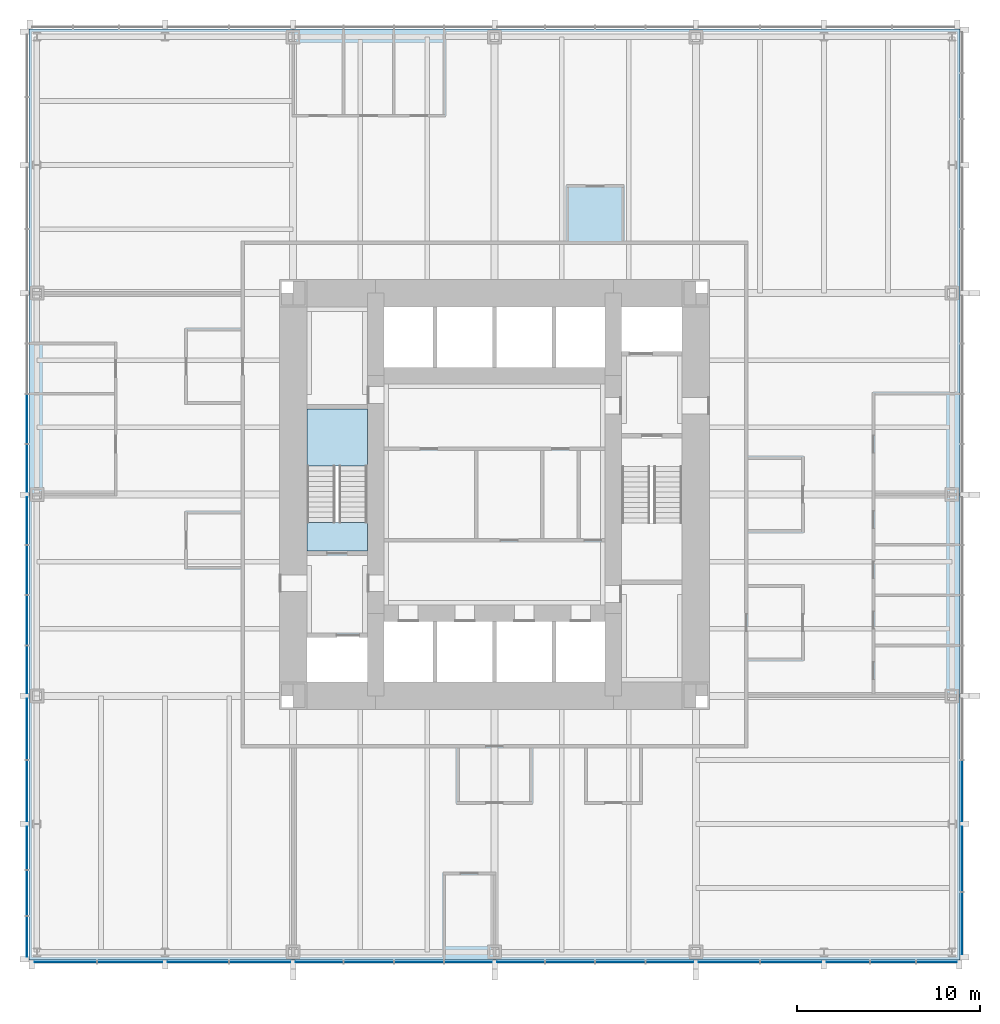
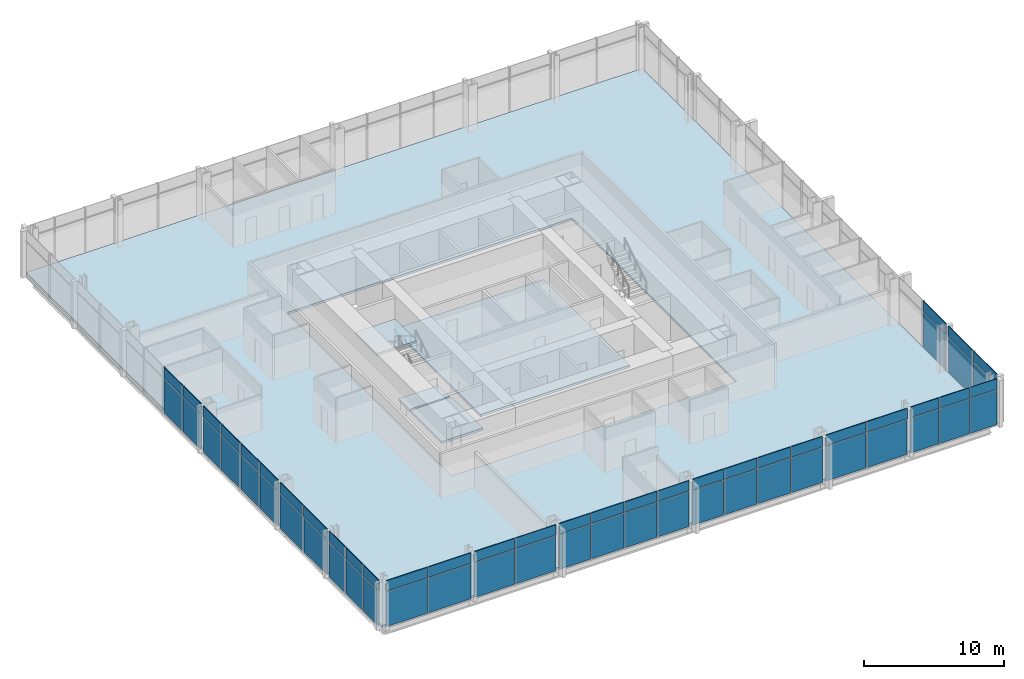
# One storey, part 7 of 12: 62 plates, 5 slabs, 4 elements without a shape of their own.
"""IFC4 building model written with IfcOpenShell, lengths in metres."""

from ifc_helpers import new_model, si_unit, direction, frame, origin, origin_2d, place, context, subcontext, project, spatial, polyline, rectangle, outline, extrude, material, layer, layer_set, type_object, element, aggregate, save


model = new_model("IFC4")

# Units and contexts
model_context = context("Model", 3, precision=1e-05, world=origin(), true_north=direction((0.0, 1.0)))
body_context = subcontext(model_context, "Body", "Model", "MODEL_VIEW")
ifc_project = project(units=[si_unit("LENGTHUNIT", "METRE"), si_unit("AREAUNIT", "SQUARE_METRE"), si_unit("VOLUMEUNIT", "CUBIC_METRE"), si_unit("PLANEANGLEUNIT", "RADIAN"), si_unit("MASSUNIT", "GRAM", prefix="KILO")], contexts=[model_context])

# Site, building, storey
site_placement = place(None, origin())
site = spatial("IfcSite", under=ifc_project, at=site_placement, CompositionType="ELEMENT")
building_placement = place(site_placement, origin())
building = spatial("IfcBuilding", under=site, at=building_placement, Name="Trevanion Tower", CompositionType="ELEMENT")
storey_placement = place(building_placement, frame((0.0, 0.0, 40.60009765625)))
storey = spatial("IfcBuildingStorey", under=building, at=storey_placement, Name="L09", CompositionType="ELEMENT", Elevation=40.60009765625)

# Curtain wall, plates
ifc_material_1 = material(Name="Aluminium and glass", Category="aluminium")
curtain_wall_type = type_object("IfcCurtainWallType", Name="CW1 curtain wall", PredefinedType="USERDEFINED", material=ifc_material_1)
curtain_wall_1_placement = place(storey_placement, origin())
curtain_wall_1 = element("IfcCurtainWall", 1, at=curtain_wall_1_placement, inside=storey, type_object=curtain_wall_type, Name="CW1 L09 0", ObjectType="UNITISED CURTAIN WALL", PredefinedType="USERDEFINED")
ifc_material_2 = material(Name="Aluminium spandrel panel", Category="aluminium")
ifc_layer_1 = layer(ifc_material_2, 0.06005859375)
ifc_layer_set_1 = layer_set([ifc_layer_1], Name="CW1 spandrel panel")
plate_type_1 = type_object("IfcPlateType", Name="CW1 spandrel panel", PredefinedType="CURTAIN_PANEL", material=ifc_layer_set_1)
plate_1_placement = place(storey_placement, frame((25.550048828125, -23.433837890625, 2.997314453125), z_axis=(0.0, 0.0, 1.0), x_axis=(0.0, 1.0, 0.0)))
plate_1 = element("IfcPlate", 2, at=plate_1_placement, type_object=plate_type_1, Name="CW1 panel 1.2", PredefinedType="CURTAIN_PANEL", context=body_context, shape_type="SweptSolid", body=[
    extrude(rectangle(XDim=3.37255859375, YDim=0.06005859375, at=origin_2d()), origin(), (0.0, 0.0, 1.0), 0.91259765625),
])
plate_2_placement = place(storey_placement, frame((25.550048828125, -19.911376953125, 2.997314453125), z_axis=(0.0, 0.0, 1.0), x_axis=(0.0, 1.0, 0.0)))
plate_2 = element("IfcPlate", 3, at=plate_2_placement, type_object=plate_type_1, Name="CW1 panel 2.2", PredefinedType="CURTAIN_PANEL", context=body_context, shape_type="SweptSolid", body=[
    extrude(rectangle(XDim=3.5224609375, YDim=0.06005859375, at=origin_2d()), origin(), (0.0, 0.0, 1.0), 0.91259765625),
])
plate_3_placement = place(storey_placement, frame((25.550048828125, -16.19384765625, 2.997314453125), z_axis=(0.0, 0.0, 1.0), x_axis=(0.0, 1.0, 0.0)))
plate_3 = element("IfcPlate", 4, at=plate_3_placement, type_object=plate_type_1, Name="CW1 panel 3.2", PredefinedType="CURTAIN_PANEL", context=body_context, shape_type="SweptSolid", body=[
    extrude(rectangle(XDim=3.3125, YDim=0.06005859375, at=origin_2d()), origin(), (0.0, 0.0, 1.0), 0.91259765625),
])

curtain_wall_2_placement = place(storey_placement, origin())
curtain_wall_2 = element("IfcCurtainWall", 5, at=curtain_wall_2_placement, inside=storey, type_object=curtain_wall_type, Name="CW1 L09 2", ObjectType="UNITISED CURTAIN WALL", PredefinedType="USERDEFINED")
plate_4_placement = place(storey_placement, frame((-25.550048828125, 4.125, 2.997314453125), z_axis=(0.0, 0.0, 1.0), x_axis=(0.0, -1.0, 0.0)))
plate_4 = element("IfcPlate", 6, at=plate_4_placement, type_object=plate_type_1, Name="CW1 panel 7.2", PredefinedType="CURTAIN_PANEL", context=body_context, shape_type="SweptSolid", body=[
    extrude(rectangle(XDim=2.675048828125, YDim=0.06005859375, at=origin_2d()), origin(), (0.0, 0.0, 1.0), 0.91259765625),
])
plate_5_placement = place(storey_placement, frame((-25.550048828125, 1.43115234375, 2.997314453125), z_axis=(0.0, 0.0, 1.0), x_axis=(0.0, -1.0, 0.0)))
plate_5 = element("IfcPlate", 7, at=plate_5_placement, type_object=plate_type_1, Name="CW1 panel 8.2", PredefinedType="CURTAIN_PANEL", context=body_context, shape_type="SweptSolid", body=[
    extrude(rectangle(XDim=2.5625, YDim=0.06005859375, at=origin_2d()), origin(), (0.0, 0.0, 1.0), 0.91259765625),
])
plate_6_placement = place(storey_placement, frame((-25.550048828125, -1.43115234375, 2.997314453125), z_axis=(0.0, 0.0, 1.0), x_axis=(0.0, -1.0, 0.0)))
plate_6 = element("IfcPlate", 8, at=plate_6_placement, type_object=plate_type_1, Name="CW1 panel 9.2", PredefinedType="CURTAIN_PANEL", context=body_context, shape_type="SweptSolid", body=[
    extrude(rectangle(XDim=2.5625, YDim=0.06005859375, at=origin_2d()), origin(), (0.0, 0.0, 1.0), 0.91259765625),
])
plate_7_placement = place(storey_placement, frame((-25.550048828125, -4.125, 2.997314453125), z_axis=(0.0, 0.0, 1.0), x_axis=(0.0, -1.0, 0.0)))
plate_7 = element("IfcPlate", 9, at=plate_7_placement, type_object=plate_type_1, Name="CW1 panel 10.2", PredefinedType="CURTAIN_PANEL", context=body_context, shape_type="SweptSolid", body=[
    extrude(rectangle(XDim=2.675048828125, YDim=0.06005859375, at=origin_2d()), origin(), (0.0, 0.0, 1.0), 0.91259765625),
])
plate_8_placement = place(storey_placement, frame((-25.550048828125, -6.875, 2.997314453125), z_axis=(0.0, 0.0, 1.0), x_axis=(0.0, -1.0, 0.0)))
plate_8 = element("IfcPlate", 10, at=plate_8_placement, type_object=plate_type_1, Name="CW1 panel 11.2", PredefinedType="CURTAIN_PANEL", context=body_context, shape_type="SweptSolid", body=[
    extrude(rectangle(XDim=2.675048828125, YDim=0.06005859375, at=origin_2d()), origin(), (0.0, 0.0, 1.0), 0.91259765625),
])
plate_9_placement = place(storey_placement, frame((-25.550048828125, -9.56884765625, 2.997314453125), z_axis=(0.0, 0.0, 1.0), x_axis=(0.0, -1.0, 0.0)))
plate_9 = element("IfcPlate", 11, at=plate_9_placement, type_object=plate_type_1, Name="CW1 panel 12.2", PredefinedType="CURTAIN_PANEL", context=body_context, shape_type="SweptSolid", body=[
    extrude(rectangle(XDim=2.5625, YDim=0.06005859375, at=origin_2d()), origin(), (0.0, 0.0, 1.0), 0.91259765625),
])
plate_10_placement = place(storey_placement, frame((-25.550048828125, -12.80615234375, 2.997314453125), z_axis=(0.0, 0.0, 1.0), x_axis=(0.0, -1.0, 0.0)))
plate_10 = element("IfcPlate", 12, at=plate_10_placement, type_object=plate_type_1, Name="CW1 panel 13.2", PredefinedType="CURTAIN_PANEL", context=body_context, shape_type="SweptSolid", body=[
    extrude(rectangle(XDim=3.3125, YDim=0.06005859375, at=origin_2d()), origin(), (0.0, 0.0, 1.0), 0.91259765625),
])
plate_11_placement = place(storey_placement, frame((-25.550048828125, -16.19384765625, 2.997314453125), z_axis=(0.0, 0.0, 1.0), x_axis=(0.0, -1.0, 0.0)))
plate_11 = element("IfcPlate", 13, at=plate_11_placement, type_object=plate_type_1, Name="CW1 panel 14.2", PredefinedType="CURTAIN_PANEL", context=body_context, shape_type="SweptSolid", body=[
    extrude(rectangle(XDim=3.3125, YDim=0.06005859375, at=origin_2d()), origin(), (0.0, 0.0, 1.0), 0.91259765625),
])
plate_12_placement = place(storey_placement, frame((-25.550048828125, -19.314697265625, 2.997314453125), z_axis=(0.0, 0.0, 1.0), x_axis=(0.0, -1.0, 0.0)))
plate_12 = element("IfcPlate", 14, at=plate_12_placement, type_object=plate_type_1, Name="CW1 panel 15.2", PredefinedType="CURTAIN_PANEL", context=body_context, shape_type="SweptSolid", body=[
    extrude(rectangle(XDim=2.3291015625, YDim=0.06005859375, at=origin_2d()), origin(), (0.0, 0.0, 1.0), 0.91259765625),
])
plate_13_placement = place(storey_placement, frame((-25.550048828125, -21.77490234375, 2.997314453125), z_axis=(0.0, 0.0, 1.0), x_axis=(0.0, -1.0, 0.0)))
plate_13 = element("IfcPlate", 15, at=plate_13_placement, type_object=plate_type_1, Name="CW1 panel 16.2", PredefinedType="CURTAIN_PANEL", context=body_context, shape_type="SweptSolid", body=[
    extrude(rectangle(XDim=2.441650390625, YDim=0.06005859375, at=origin_2d()), origin(), (0.0, 0.0, 1.0), 0.91259765625),
])
plate_14_placement = place(storey_placement, frame((-25.550048828125, -24.160400390625, 2.997314453125), z_axis=(0.0, 0.0, 1.0), x_axis=(0.0, -1.0, 0.0)))
plate_14 = element("IfcPlate", 16, at=plate_14_placement, type_object=plate_type_1, Name="CW1 panel 17.2", PredefinedType="CURTAIN_PANEL", context=body_context, shape_type="SweptSolid", body=[
    extrude(rectangle(XDim=2.17919921875, YDim=0.06005859375, at=origin_2d()), origin(), (0.0, 0.0, 1.0), 0.91259765625),
])

curtain_wall_3_placement = place(storey_placement, origin())
curtain_wall_3 = element("IfcCurtainWall", 17, at=curtain_wall_3_placement, inside=storey, type_object=curtain_wall_type, Name="CW1 L09 3", ObjectType="UNITISED CURTAIN WALL", PredefinedType="USERDEFINED")
plate_15_placement = place(storey_placement, frame((-23.433837890625, -25.550048828125, 2.997314453125), z_axis=(0.0, 0.0, 1.0), x_axis=(1.0, 0.0, 0.0)))
plate_15 = element("IfcPlate", 18, at=plate_15_placement, type_object=plate_type_1, Name="CW1 panel 1.2", PredefinedType="CURTAIN_PANEL", context=body_context, shape_type="SweptSolid", body=[
    extrude(rectangle(XDim=3.37255859375, YDim=0.06005859375, at=origin_2d()), origin(), (0.0, 0.0, 1.0), 0.91259765625),
])
plate_16_placement = place(storey_placement, frame((-19.911376953125, -25.550048828125, 2.997314453125), z_axis=(0.0, 0.0, 1.0), x_axis=(1.0, 0.0, 0.0)))
plate_16 = element("IfcPlate", 19, at=plate_16_placement, type_object=plate_type_1, Name="CW1 panel 2.2", PredefinedType="CURTAIN_PANEL", context=body_context, shape_type="SweptSolid", body=[
    extrude(rectangle(XDim=3.5224609375, YDim=0.06005859375, at=origin_2d()), origin(), (0.0, 0.0, 1.0), 0.91259765625),
])
plate_17_placement = place(storey_placement, frame((-16.19384765625, -25.550048828125, 2.997314453125), z_axis=(0.0, 0.0, 1.0), x_axis=(1.0, 0.0, 0.0)))
plate_17 = element("IfcPlate", 20, at=plate_17_placement, type_object=plate_type_1, Name="CW1 panel 3.2", PredefinedType="CURTAIN_PANEL", context=body_context, shape_type="SweptSolid", body=[
    extrude(rectangle(XDim=3.3125, YDim=0.06005859375, at=origin_2d()), origin(), (0.0, 0.0, 1.0), 0.91259765625),
])
plate_18_placement = place(storey_placement, frame((-12.806396484375, -25.550048828125, 2.997314453125), z_axis=(0.0, 0.0, 1.0), x_axis=(1.0, 0.0, 0.0)))
plate_18 = element("IfcPlate", 21, at=plate_18_placement, type_object=plate_type_1, Name="CW1 panel 4.2", PredefinedType="CURTAIN_PANEL", context=body_context, shape_type="SweptSolid", body=[
    extrude(rectangle(XDim=3.3125, YDim=0.06005859375, at=origin_2d()), origin(), (0.0, 0.0, 1.0), 0.91259765625),
])
plate_19_placement = place(storey_placement, frame((-9.56884765625, -25.550048828125, 2.997314453125), z_axis=(0.0, 0.0, 1.0), x_axis=(1.0, 0.0, 0.0)))
plate_19 = element("IfcPlate", 22, at=plate_19_placement, type_object=plate_type_1, Name="CW1 panel 5.2", PredefinedType="CURTAIN_PANEL", context=body_context, shape_type="SweptSolid", body=[
    extrude(rectangle(XDim=2.5625, YDim=0.06005859375, at=origin_2d()), origin(), (0.0, 0.0, 1.0), 0.91259765625),
])
plate_20_placement = place(storey_placement, frame((-6.875, -25.550048828125, 2.997314453125), z_axis=(0.0, 0.0, 1.0), x_axis=(1.0, 0.0, 0.0)))
plate_20 = element("IfcPlate", 23, at=plate_20_placement, type_object=plate_type_1, Name="CW1 panel 6.2", PredefinedType="CURTAIN_PANEL", context=body_context, shape_type="SweptSolid", body=[
    extrude(rectangle(XDim=2.675048828125, YDim=0.06005859375, at=origin_2d()), origin(), (0.0, 0.0, 1.0), 0.91259765625),
])
plate_21_placement = place(storey_placement, frame((-4.125, -25.550048828125, 2.997314453125), z_axis=(0.0, 0.0, 1.0), x_axis=(1.0, 0.0, 0.0)))
plate_21 = element("IfcPlate", 24, at=plate_21_placement, type_object=plate_type_1, Name="CW1 panel 7.2", PredefinedType="CURTAIN_PANEL", context=body_context, shape_type="SweptSolid", body=[
    extrude(rectangle(XDim=2.675048828125, YDim=0.06005859375, at=origin_2d()), origin(), (0.0, 0.0, 1.0), 0.91259765625),
])
plate_22_placement = place(storey_placement, frame((-1.43115234375, -25.550048828125, 2.997314453125), z_axis=(0.0, 0.0, 1.0), x_axis=(1.0, 0.0, 0.0)))
plate_22 = element("IfcPlate", 25, at=plate_22_placement, type_object=plate_type_1, Name="CW1 panel 8.2", PredefinedType="CURTAIN_PANEL", context=body_context, shape_type="SweptSolid", body=[
    extrude(rectangle(XDim=2.5625, YDim=0.06005859375, at=origin_2d()), origin(), (0.0, 0.0, 1.0), 0.91259765625),
])
plate_23_placement = place(storey_placement, frame((1.43115234375, -25.550048828125, 2.997314453125), z_axis=(0.0, 0.0, 1.0), x_axis=(1.0, 0.0, 0.0)))
plate_23 = element("IfcPlate", 26, at=plate_23_placement, type_object=plate_type_1, Name="CW1 panel 9.2", PredefinedType="CURTAIN_PANEL", context=body_context, shape_type="SweptSolid", body=[
    extrude(rectangle(XDim=2.5625, YDim=0.06005859375, at=origin_2d()), origin(), (0.0, 0.0, 1.0), 0.91259765625),
])
plate_24_placement = place(storey_placement, frame((4.125, -25.550048828125, 2.997314453125), z_axis=(0.0, 0.0, 1.0), x_axis=(1.0, 0.0, 0.0)))
plate_24 = element("IfcPlate", 27, at=plate_24_placement, type_object=plate_type_1, Name="CW1 panel 10.2", PredefinedType="CURTAIN_PANEL", context=body_context, shape_type="SweptSolid", body=[
    extrude(rectangle(XDim=2.675048828125, YDim=0.06005859375, at=origin_2d()), origin(), (0.0, 0.0, 1.0), 0.91259765625),
])
plate_25_placement = place(storey_placement, frame((6.875, -25.550048828125, 2.997314453125), z_axis=(0.0, 0.0, 1.0), x_axis=(1.0, 0.0, 0.0)))
plate_25 = element("IfcPlate", 28, at=plate_25_placement, type_object=plate_type_1, Name="CW1 panel 11.2", PredefinedType="CURTAIN_PANEL", context=body_context, shape_type="SweptSolid", body=[
    extrude(rectangle(XDim=2.675048828125, YDim=0.06005859375, at=origin_2d()), origin(), (0.0, 0.0, 1.0), 0.91259765625),
])
plate_26_placement = place(storey_placement, frame((9.56884765625, -25.550048828125, 2.997314453125), z_axis=(0.0, 0.0, 1.0), x_axis=(1.0, 0.0, 0.0)))
plate_26 = element("IfcPlate", 29, at=plate_26_placement, type_object=plate_type_1, Name="CW1 panel 12.2", PredefinedType="CURTAIN_PANEL", context=body_context, shape_type="SweptSolid", body=[
    extrude(rectangle(XDim=2.5625, YDim=0.06005859375, at=origin_2d()), origin(), (0.0, 0.0, 1.0), 0.91259765625),
])
plate_27_placement = place(storey_placement, frame((12.80615234375, -25.550048828125, 2.997314453125), z_axis=(0.0, 0.0, 1.0), x_axis=(1.0, 0.0, 0.0)))
plate_27 = element("IfcPlate", 30, at=plate_27_placement, type_object=plate_type_1, Name="CW1 panel 13.2", PredefinedType="CURTAIN_PANEL", context=body_context, shape_type="SweptSolid", body=[
    extrude(rectangle(XDim=3.3125, YDim=0.06005859375, at=origin_2d()), origin(), (0.0, 0.0, 1.0), 0.91259765625),
])
plate_28_placement = place(storey_placement, frame((16.19384765625, -25.550048828125, 2.997314453125), z_axis=(0.0, 0.0, 1.0), x_axis=(1.0, 0.0, 0.0)))
plate_28 = element("IfcPlate", 31, at=plate_28_placement, type_object=plate_type_1, Name="CW1 panel 14.2", PredefinedType="CURTAIN_PANEL", context=body_context, shape_type="SweptSolid", body=[
    extrude(rectangle(XDim=3.3125, YDim=0.06005859375, at=origin_2d()), origin(), (0.0, 0.0, 1.0), 0.91259765625),
])
plate_29_placement = place(storey_placement, frame((19.314697265625, -25.550048828125, 2.997314453125), z_axis=(0.0, 0.0, 1.0), x_axis=(1.0, 0.0, 0.0)))
plate_29 = element("IfcPlate", 32, at=plate_29_placement, type_object=plate_type_1, Name="CW1 panel 15.2", PredefinedType="CURTAIN_PANEL", context=body_context, shape_type="SweptSolid", body=[
    extrude(rectangle(XDim=2.3291015625, YDim=0.06005859375, at=origin_2d()), origin(), (0.0, 0.0, 1.0), 0.91259765625),
])
plate_30_placement = place(storey_placement, frame((21.77490234375, -25.550048828125, 2.997314453125), z_axis=(0.0, 0.0, 1.0), x_axis=(1.0, 0.0, 0.0)))
plate_30 = element("IfcPlate", 33, at=plate_30_placement, type_object=plate_type_1, Name="CW1 panel 16.2", PredefinedType="CURTAIN_PANEL", context=body_context, shape_type="SweptSolid", body=[
    extrude(rectangle(XDim=2.441650390625, YDim=0.06005859375, at=origin_2d()), origin(), (0.0, 0.0, 1.0), 0.91259765625),
])
plate_31_placement = place(storey_placement, frame((24.160400390625, -25.550048828125, 2.997314453125), z_axis=(0.0, 0.0, 1.0), x_axis=(1.0, 0.0, 0.0)))
plate_31 = element("IfcPlate", 34, at=plate_31_placement, type_object=plate_type_1, Name="CW1 panel 17.2", PredefinedType="CURTAIN_PANEL", context=body_context, shape_type="SweptSolid", body=[
    extrude(rectangle(XDim=2.17919921875, YDim=0.06005859375, at=origin_2d()), origin(), (0.0, 0.0, 1.0), 0.91259765625),
])

# Plate
ifc_material_3 = material(Name="Insulating glass unit", Category="glass")
ifc_layer_2 = layer(ifc_material_3, 0.028076171875)
ifc_layer_set_2 = layer_set([ifc_layer_2], Name="CW1 vision panel")
plate_type_2 = type_object("IfcPlateType", Name="CW1 vision panel", PredefinedType="CURTAIN_PANEL", material=ifc_layer_set_2)
plate_32_placement = place(storey_placement, frame((25.550048828125, -23.433837890625, -0.114990234375), z_axis=(0.0, 0.0, 1.0), x_axis=(0.0, 1.0, 0.0)))
plate_32 = element("IfcPlate", 35, at=plate_32_placement, type_object=plate_type_2, Name="CW1 panel 1.1", PredefinedType="CURTAIN_PANEL", context=body_context, shape_type="SweptSolid", body=[
    extrude(rectangle(XDim=3.37255859375, YDim=0.028076171875, at=origin_2d()), origin(), (0.0, 0.0, 1.0), 3.03759765625),
])

plate_33_placement = place(storey_placement, frame((25.550048828125, -19.911376953125, -0.114990234375), z_axis=(0.0, 0.0, 1.0), x_axis=(0.0, 1.0, 0.0)))
plate_33 = element("IfcPlate", 36, at=plate_33_placement, type_object=plate_type_2, Name="CW1 panel 2.1", PredefinedType="CURTAIN_PANEL", context=body_context, shape_type="SweptSolid", body=[
    extrude(rectangle(XDim=3.5224609375, YDim=0.028076171875, at=origin_2d()), origin(), (0.0, 0.0, 1.0), 3.03759765625),
])

plate_34_placement = place(storey_placement, frame((25.550048828125, -16.19384765625, -0.114990234375), z_axis=(0.0, 0.0, 1.0), x_axis=(0.0, 1.0, 0.0)))
plate_34 = element("IfcPlate", 37, at=plate_34_placement, type_object=plate_type_2, Name="CW1 panel 3.1", PredefinedType="CURTAIN_PANEL", context=body_context, shape_type="SweptSolid", body=[
    extrude(rectangle(XDim=3.3125, YDim=0.028076171875, at=origin_2d()), origin(), (0.0, 0.0, 1.0), 3.03759765625),
])

aggregate(curtain_wall_1, [plate_32, plate_1, plate_33, plate_2, plate_34, plate_3])

plate_35_placement = place(storey_placement, frame((-25.550048828125, 4.125, -0.114990234375), z_axis=(0.0, 0.0, 1.0), x_axis=(0.0, -1.0, 0.0)))
plate_35 = element("IfcPlate", 38, at=plate_35_placement, type_object=plate_type_2, Name="CW1 panel 7.1", PredefinedType="CURTAIN_PANEL", context=body_context, shape_type="SweptSolid", body=[
    extrude(rectangle(XDim=2.675048828125, YDim=0.028076171875, at=origin_2d()), origin(), (0.0, 0.0, 1.0), 3.03759765625),
])

plate_36_placement = place(storey_placement, frame((-25.550048828125, 1.43115234375, -0.114990234375), z_axis=(0.0, 0.0, 1.0), x_axis=(0.0, -1.0, 0.0)))
plate_36 = element("IfcPlate", 39, at=plate_36_placement, type_object=plate_type_2, Name="CW1 panel 8.1", PredefinedType="CURTAIN_PANEL", context=body_context, shape_type="SweptSolid", body=[
    extrude(rectangle(XDim=2.5625, YDim=0.028076171875, at=origin_2d()), origin(), (0.0, 0.0, 1.0), 3.03759765625),
])

plate_37_placement = place(storey_placement, frame((-25.550048828125, -1.43115234375, -0.114990234375), z_axis=(0.0, 0.0, 1.0), x_axis=(0.0, -1.0, 0.0)))
plate_37 = element("IfcPlate", 40, at=plate_37_placement, type_object=plate_type_2, Name="CW1 panel 9.1", PredefinedType="CURTAIN_PANEL", context=body_context, shape_type="SweptSolid", body=[
    extrude(rectangle(XDim=2.5625, YDim=0.028076171875, at=origin_2d()), origin(), (0.0, 0.0, 1.0), 3.03759765625),
])

plate_38_placement = place(storey_placement, frame((-25.550048828125, -4.125, -0.114990234375), z_axis=(0.0, 0.0, 1.0), x_axis=(0.0, -1.0, 0.0)))
plate_38 = element("IfcPlate", 41, at=plate_38_placement, type_object=plate_type_2, Name="CW1 panel 10.1", PredefinedType="CURTAIN_PANEL", context=body_context, shape_type="SweptSolid", body=[
    extrude(rectangle(XDim=2.675048828125, YDim=0.028076171875, at=origin_2d()), origin(), (0.0, 0.0, 1.0), 3.03759765625),
])

plate_39_placement = place(storey_placement, frame((-25.550048828125, -6.875, -0.114990234375), z_axis=(0.0, 0.0, 1.0), x_axis=(0.0, -1.0, 0.0)))
plate_39 = element("IfcPlate", 42, at=plate_39_placement, type_object=plate_type_2, Name="CW1 panel 11.1", PredefinedType="CURTAIN_PANEL", context=body_context, shape_type="SweptSolid", body=[
    extrude(rectangle(XDim=2.675048828125, YDim=0.028076171875, at=origin_2d()), origin(), (0.0, 0.0, 1.0), 3.03759765625),
])

plate_40_placement = place(storey_placement, frame((-25.550048828125, -9.56884765625, -0.114990234375), z_axis=(0.0, 0.0, 1.0), x_axis=(0.0, -1.0, 0.0)))
plate_40 = element("IfcPlate", 43, at=plate_40_placement, type_object=plate_type_2, Name="CW1 panel 12.1", PredefinedType="CURTAIN_PANEL", context=body_context, shape_type="SweptSolid", body=[
    extrude(rectangle(XDim=2.5625, YDim=0.028076171875, at=origin_2d()), origin(), (0.0, 0.0, 1.0), 3.03759765625),
])

plate_41_placement = place(storey_placement, frame((-25.550048828125, -12.80615234375, -0.114990234375), z_axis=(0.0, 0.0, 1.0), x_axis=(0.0, -1.0, 0.0)))
plate_41 = element("IfcPlate", 44, at=plate_41_placement, type_object=plate_type_2, Name="CW1 panel 13.1", PredefinedType="CURTAIN_PANEL", context=body_context, shape_type="SweptSolid", body=[
    extrude(rectangle(XDim=3.3125, YDim=0.028076171875, at=origin_2d()), origin(), (0.0, 0.0, 1.0), 3.03759765625),
])

plate_42_placement = place(storey_placement, frame((-25.550048828125, -16.19384765625, -0.114990234375), z_axis=(0.0, 0.0, 1.0), x_axis=(0.0, -1.0, 0.0)))
plate_42 = element("IfcPlate", 45, at=plate_42_placement, type_object=plate_type_2, Name="CW1 panel 14.1", PredefinedType="CURTAIN_PANEL", context=body_context, shape_type="SweptSolid", body=[
    extrude(rectangle(XDim=3.3125, YDim=0.028076171875, at=origin_2d()), origin(), (0.0, 0.0, 1.0), 3.03759765625),
])

plate_43_placement = place(storey_placement, frame((-25.550048828125, -19.314697265625, -0.114990234375), z_axis=(0.0, 0.0, 1.0), x_axis=(0.0, -1.0, 0.0)))
plate_43 = element("IfcPlate", 46, at=plate_43_placement, type_object=plate_type_2, Name="CW1 panel 15.1", PredefinedType="CURTAIN_PANEL", context=body_context, shape_type="SweptSolid", body=[
    extrude(rectangle(XDim=2.3291015625, YDim=0.028076171875, at=origin_2d()), origin(), (0.0, 0.0, 1.0), 3.03759765625),
])

plate_44_placement = place(storey_placement, frame((-25.550048828125, -21.77490234375, -0.114990234375), z_axis=(0.0, 0.0, 1.0), x_axis=(0.0, -1.0, 0.0)))
plate_44 = element("IfcPlate", 47, at=plate_44_placement, type_object=plate_type_2, Name="CW1 panel 16.1", PredefinedType="CURTAIN_PANEL", context=body_context, shape_type="SweptSolid", body=[
    extrude(rectangle(XDim=2.441650390625, YDim=0.028076171875, at=origin_2d()), origin(), (0.0, 0.0, 1.0), 3.03759765625),
])

plate_45_placement = place(storey_placement, frame((-25.550048828125, -24.160400390625, -0.114990234375), z_axis=(0.0, 0.0, 1.0), x_axis=(0.0, -1.0, 0.0)))
plate_45 = element("IfcPlate", 48, at=plate_45_placement, type_object=plate_type_2, Name="CW1 panel 17.1", PredefinedType="CURTAIN_PANEL", context=body_context, shape_type="SweptSolid", body=[
    extrude(rectangle(XDim=2.17919921875, YDim=0.028076171875, at=origin_2d()), origin(), (0.0, 0.0, 1.0), 3.03759765625),
])

aggregate(curtain_wall_2, [plate_35, plate_4, plate_36, plate_5, plate_37, plate_6, plate_38, plate_7, plate_39, plate_8, plate_40, plate_9, plate_41, plate_10, plate_42, plate_11, plate_43, plate_12, plate_44, plate_13, plate_45, plate_14])

plate_46_placement = place(storey_placement, frame((-23.433837890625, -25.550048828125, -0.114990234375), z_axis=(0.0, 0.0, 1.0), x_axis=(1.0, 0.0, 0.0)))
plate_46 = element("IfcPlate", 49, at=plate_46_placement, type_object=plate_type_2, Name="CW1 panel 1.1", PredefinedType="CURTAIN_PANEL", context=body_context, shape_type="SweptSolid", body=[
    extrude(rectangle(XDim=3.37255859375, YDim=0.028076171875, at=origin_2d()), origin(), (0.0, 0.0, 1.0), 3.03759765625),
])

plate_47_placement = place(storey_placement, frame((-19.911376953125, -25.550048828125, -0.114990234375), z_axis=(0.0, 0.0, 1.0), x_axis=(1.0, 0.0, 0.0)))
plate_47 = element("IfcPlate", 50, at=plate_47_placement, type_object=plate_type_2, Name="CW1 panel 2.1", PredefinedType="CURTAIN_PANEL", context=body_context, shape_type="SweptSolid", body=[
    extrude(rectangle(XDim=3.5224609375, YDim=0.028076171875, at=origin_2d()), origin(), (0.0, 0.0, 1.0), 3.03759765625),
])

plate_48_placement = place(storey_placement, frame((-16.19384765625, -25.550048828125, -0.114990234375), z_axis=(0.0, 0.0, 1.0), x_axis=(1.0, 0.0, 0.0)))
plate_48 = element("IfcPlate", 51, at=plate_48_placement, type_object=plate_type_2, Name="CW1 panel 3.1", PredefinedType="CURTAIN_PANEL", context=body_context, shape_type="SweptSolid", body=[
    extrude(rectangle(XDim=3.3125, YDim=0.028076171875, at=origin_2d()), origin(), (0.0, 0.0, 1.0), 3.03759765625),
])

plate_49_placement = place(storey_placement, frame((-12.806396484375, -25.550048828125, -0.114990234375), z_axis=(0.0, 0.0, 1.0), x_axis=(1.0, 0.0, 0.0)))
plate_49 = element("IfcPlate", 52, at=plate_49_placement, type_object=plate_type_2, Name="CW1 panel 4.1", PredefinedType="CURTAIN_PANEL", context=body_context, shape_type="SweptSolid", body=[
    extrude(rectangle(XDim=3.3125, YDim=0.028076171875, at=origin_2d()), origin(), (0.0, 0.0, 1.0), 3.03759765625),
])

plate_50_placement = place(storey_placement, frame((-9.56884765625, -25.550048828125, -0.114990234375), z_axis=(0.0, 0.0, 1.0), x_axis=(1.0, 0.0, 0.0)))
plate_50 = element("IfcPlate", 53, at=plate_50_placement, type_object=plate_type_2, Name="CW1 panel 5.1", PredefinedType="CURTAIN_PANEL", context=body_context, shape_type="SweptSolid", body=[
    extrude(rectangle(XDim=2.5625, YDim=0.028076171875, at=origin_2d()), origin(), (0.0, 0.0, 1.0), 3.03759765625),
])

plate_51_placement = place(storey_placement, frame((-6.875, -25.550048828125, -0.114990234375), z_axis=(0.0, 0.0, 1.0), x_axis=(1.0, 0.0, 0.0)))
plate_51 = element("IfcPlate", 54, at=plate_51_placement, type_object=plate_type_2, Name="CW1 panel 6.1", PredefinedType="CURTAIN_PANEL", context=body_context, shape_type="SweptSolid", body=[
    extrude(rectangle(XDim=2.675048828125, YDim=0.028076171875, at=origin_2d()), origin(), (0.0, 0.0, 1.0), 3.03759765625),
])

plate_52_placement = place(storey_placement, frame((-4.125, -25.550048828125, -0.114990234375), z_axis=(0.0, 0.0, 1.0), x_axis=(1.0, 0.0, 0.0)))
plate_52 = element("IfcPlate", 55, at=plate_52_placement, type_object=plate_type_2, Name="CW1 panel 7.1", PredefinedType="CURTAIN_PANEL", context=body_context, shape_type="SweptSolid", body=[
    extrude(rectangle(XDim=2.675048828125, YDim=0.028076171875, at=origin_2d()), origin(), (0.0, 0.0, 1.0), 3.03759765625),
])

plate_53_placement = place(storey_placement, frame((-1.43115234375, -25.550048828125, -0.114990234375), z_axis=(0.0, 0.0, 1.0), x_axis=(1.0, 0.0, 0.0)))
plate_53 = element("IfcPlate", 56, at=plate_53_placement, type_object=plate_type_2, Name="CW1 panel 8.1", PredefinedType="CURTAIN_PANEL", context=body_context, shape_type="SweptSolid", body=[
    extrude(rectangle(XDim=2.5625, YDim=0.028076171875, at=origin_2d()), origin(), (0.0, 0.0, 1.0), 3.03759765625),
])

plate_54_placement = place(storey_placement, frame((1.43115234375, -25.550048828125, -0.114990234375), z_axis=(0.0, 0.0, 1.0), x_axis=(1.0, 0.0, 0.0)))
plate_54 = element("IfcPlate", 57, at=plate_54_placement, type_object=plate_type_2, Name="CW1 panel 9.1", PredefinedType="CURTAIN_PANEL", context=body_context, shape_type="SweptSolid", body=[
    extrude(rectangle(XDim=2.5625, YDim=0.028076171875, at=origin_2d()), origin(), (0.0, 0.0, 1.0), 3.03759765625),
])

plate_55_placement = place(storey_placement, frame((4.125, -25.550048828125, -0.114990234375), z_axis=(0.0, 0.0, 1.0), x_axis=(1.0, 0.0, 0.0)))
plate_55 = element("IfcPlate", 58, at=plate_55_placement, type_object=plate_type_2, Name="CW1 panel 10.1", PredefinedType="CURTAIN_PANEL", context=body_context, shape_type="SweptSolid", body=[
    extrude(rectangle(XDim=2.675048828125, YDim=0.028076171875, at=origin_2d()), origin(), (0.0, 0.0, 1.0), 3.03759765625),
])

plate_56_placement = place(storey_placement, frame((6.875, -25.550048828125, -0.114990234375), z_axis=(0.0, 0.0, 1.0), x_axis=(1.0, 0.0, 0.0)))
plate_56 = element("IfcPlate", 59, at=plate_56_placement, type_object=plate_type_2, Name="CW1 panel 11.1", PredefinedType="CURTAIN_PANEL", context=body_context, shape_type="SweptSolid", body=[
    extrude(rectangle(XDim=2.675048828125, YDim=0.028076171875, at=origin_2d()), origin(), (0.0, 0.0, 1.0), 3.03759765625),
])

plate_57_placement = place(storey_placement, frame((9.56884765625, -25.550048828125, -0.114990234375), z_axis=(0.0, 0.0, 1.0), x_axis=(1.0, 0.0, 0.0)))
plate_57 = element("IfcPlate", 60, at=plate_57_placement, type_object=plate_type_2, Name="CW1 panel 12.1", PredefinedType="CURTAIN_PANEL", context=body_context, shape_type="SweptSolid", body=[
    extrude(rectangle(XDim=2.5625, YDim=0.028076171875, at=origin_2d()), origin(), (0.0, 0.0, 1.0), 3.03759765625),
])

plate_58_placement = place(storey_placement, frame((12.80615234375, -25.550048828125, -0.114990234375), z_axis=(0.0, 0.0, 1.0), x_axis=(1.0, 0.0, 0.0)))
plate_58 = element("IfcPlate", 61, at=plate_58_placement, type_object=plate_type_2, Name="CW1 panel 13.1", PredefinedType="CURTAIN_PANEL", context=body_context, shape_type="SweptSolid", body=[
    extrude(rectangle(XDim=3.3125, YDim=0.028076171875, at=origin_2d()), origin(), (0.0, 0.0, 1.0), 3.03759765625),
])

plate_59_placement = place(storey_placement, frame((16.19384765625, -25.550048828125, -0.114990234375), z_axis=(0.0, 0.0, 1.0), x_axis=(1.0, 0.0, 0.0)))
plate_59 = element("IfcPlate", 62, at=plate_59_placement, type_object=plate_type_2, Name="CW1 panel 14.1", PredefinedType="CURTAIN_PANEL", context=body_context, shape_type="SweptSolid", body=[
    extrude(rectangle(XDim=3.3125, YDim=0.028076171875, at=origin_2d()), origin(), (0.0, 0.0, 1.0), 3.03759765625),
])

plate_60_placement = place(storey_placement, frame((19.314697265625, -25.550048828125, -0.114990234375), z_axis=(0.0, 0.0, 1.0), x_axis=(1.0, 0.0, 0.0)))
plate_60 = element("IfcPlate", 63, at=plate_60_placement, type_object=plate_type_2, Name="CW1 panel 15.1", PredefinedType="CURTAIN_PANEL", context=body_context, shape_type="SweptSolid", body=[
    extrude(rectangle(XDim=2.3291015625, YDim=0.028076171875, at=origin_2d()), origin(), (0.0, 0.0, 1.0), 3.03759765625),
])

plate_61_placement = place(storey_placement, frame((21.77490234375, -25.550048828125, -0.114990234375), z_axis=(0.0, 0.0, 1.0), x_axis=(1.0, 0.0, 0.0)))
plate_61 = element("IfcPlate", 64, at=plate_61_placement, type_object=plate_type_2, Name="CW1 panel 16.1", PredefinedType="CURTAIN_PANEL", context=body_context, shape_type="SweptSolid", body=[
    extrude(rectangle(XDim=2.441650390625, YDim=0.028076171875, at=origin_2d()), origin(), (0.0, 0.0, 1.0), 3.03759765625),
])

plate_62_placement = place(storey_placement, frame((24.160400390625, -25.550048828125, -0.114990234375), z_axis=(0.0, 0.0, 1.0), x_axis=(1.0, 0.0, 0.0)))
plate_62 = element("IfcPlate", 65, at=plate_62_placement, type_object=plate_type_2, Name="CW1 panel 17.1", PredefinedType="CURTAIN_PANEL", context=body_context, shape_type="SweptSolid", body=[
    extrude(rectangle(XDim=2.17919921875, YDim=0.028076171875, at=origin_2d()), origin(), (0.0, 0.0, 1.0), 3.03759765625),
])

aggregate(curtain_wall_3, [plate_46, plate_15, plate_47, plate_16, plate_48, plate_17, plate_49, plate_18, plate_50, plate_19, plate_51, plate_20, plate_52, plate_21, plate_53, plate_22, plate_54, plate_23, plate_55, plate_24, plate_56, plate_25, plate_57, plate_26, plate_58, plate_27, plate_59, plate_28, plate_60, plate_29, plate_61, plate_30, plate_62, plate_31])

# Slabs
ifc_material_4 = material(Name="Concrete 5,000 psi on composite metal deck", Category="concrete")
ifc_layer_3 = layer(ifc_material_4, 0.18994140625)
ifc_layer_set_3 = layer_set([ifc_layer_3], Name="SL1 composite floor 190")
slab_type_1 = type_object("IfcSlabType", Name="SL1 composite floor 190", PredefinedType="FLOOR", material=ifc_layer_set_3)
slab_1_placement = place(storey_placement, frame((0.0, 0.0, -0.190185546875)))
element("IfcSlab", 66, at=slab_1_placement, inside=storey, type_object=slab_type_1, Name="SL1 L09 floor", PredefinedType="FLOOR", context=body_context, shape_type="SweptSolid", body=[
    extrude(outline(polyline([(25.419921875, -25.419921875), (25.419921875, 25.419921875), (-25.419921875, 25.419921875), (-25.419921875, -25.419921875), (25.419921875, -25.419921875)]), holes=[polyline([(11.75, -11.75), (11.75, 11.75), (-11.75, 11.75), (-11.75, -11.75), (11.75, -11.75)])]), origin(), (0.0, 0.0, 1.0), 0.190185546875),
])
ifc_material_5 = material(Name="Concrete 5,000 psi", Category="concrete")
ifc_layer_4 = layer(ifc_material_5, 0.199951171875)
ifc_layer_set_4 = layer_set([ifc_layer_4], Name="SL2 core floor 200")
slab_type_2 = type_object("IfcSlabType", Name="SL2 core floor 200", PredefinedType="FLOOR", material=ifc_layer_set_4)
slab_2_placement = place(storey_placement, frame((0.0, 0.0, -0.2001953125)))
element("IfcSlab", 67, at=slab_2_placement, inside=storey, type_object=slab_type_2, Name="SL2 L09 core floor 2", PredefinedType="FLOOR", context=body_context, shape_type="SweptSolid", body=[
    extrude(outline(polyline([(-6.830078125, -3.205078125), (-6.830078125, -7.695068359375), (-10.25, -7.695068359375), (-10.25, -3.205078125), (-6.830078125, -3.205078125)])), origin(), (0.0, 0.0, 1.0), 0.2001953125),
])
slab_3_placement = place(storey_placement, frame((0.0, 0.0, -0.2001953125)))
element("IfcSlab", 68, at=slab_3_placement, inside=storey, type_object=slab_type_2, Name="SL2 L09 core floor 3", PredefinedType="FLOOR", context=body_context, shape_type="SweptSolid", body=[
    extrude(outline(polyline([(6.169921875, -6.169921875), (-6.169921875, -6.169921875), (-6.169921875, 6.169921875), (6.169921875, 6.169921875), (6.169921875, -6.169921875)])), origin(), (0.0, 0.0, 1.0), 0.2001953125),
])

# Stair, slabs
ifc_material_6 = material(Name="Concrete 5,000 psi on steel stringers", Category="concrete")
stair_type = type_object("IfcStairType", Name="ST stair", PredefinedType="HALF_TURN_STAIR", material=ifc_material_6)
stair_placement = place(storey_placement, origin())
stair = element("IfcStair", 69, at=stair_placement, inside=storey, type_object=stair_type, Name="ST2 L09", PredefinedType="HALF_TURN_STAIR")
ifc_material_7 = material(Name="Concrete 5,000 psi in steel pan", Category="concrete")
ifc_layer_5 = layer(ifc_material_7, 0.199951171875)
ifc_layer_set_5 = layer_set([ifc_layer_5], Name="STL stair landing 200")
slab_type_3 = type_object("IfcSlabType", Name="STL stair landing 200", PredefinedType="LANDING", material=ifc_layer_set_5)
slab_4_placement = place(storey_placement, frame((0.0, 0.0, -0.2001953125)))
slab_4 = element("IfcSlab", 70, at=slab_4_placement, type_object=slab_type_3, Name="ST2 landing 1", PredefinedType="LANDING", context=body_context, shape_type="SweptSolid", body=[
    extrude(outline(polyline([(-6.949951171875, -1.52490234375), (-10.25, -1.52490234375), (-10.25, -3.074951171875), (-6.949951171875, -3.074951171875), (-6.949951171875, -1.52490234375)])), origin(), (0.0, 0.0, 1.0), 0.2001953125),
])
slab_5_placement = place(storey_placement, frame((0.0, 0.0, 1.849853515625)))
slab_5 = element("IfcSlab", 71, at=slab_5_placement, type_object=slab_type_3, Name="ST2 landing 2", PredefinedType="LANDING", context=body_context, shape_type="SweptSolid", body=[
    extrude(outline(polyline([(-6.949951171875, 4.675048828125), (-10.25, 4.675048828125), (-10.25, 1.554931640625), (-6.949951171875, 1.554931640625), (-6.949951171875, 4.675048828125)])), origin(), (0.0, 0.0, 1.0), 0.199951171875),
])
aggregate(stair, [slab_4, slab_5])

save(model, "model.ifc")
